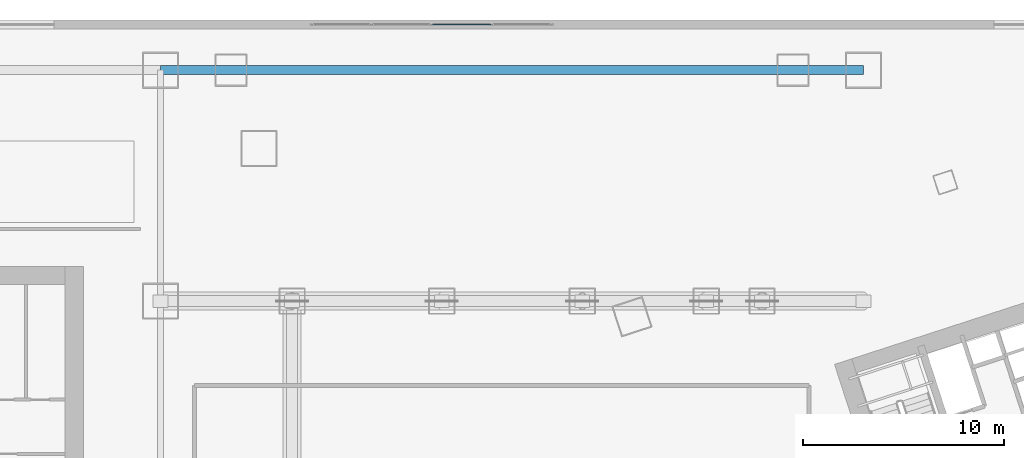
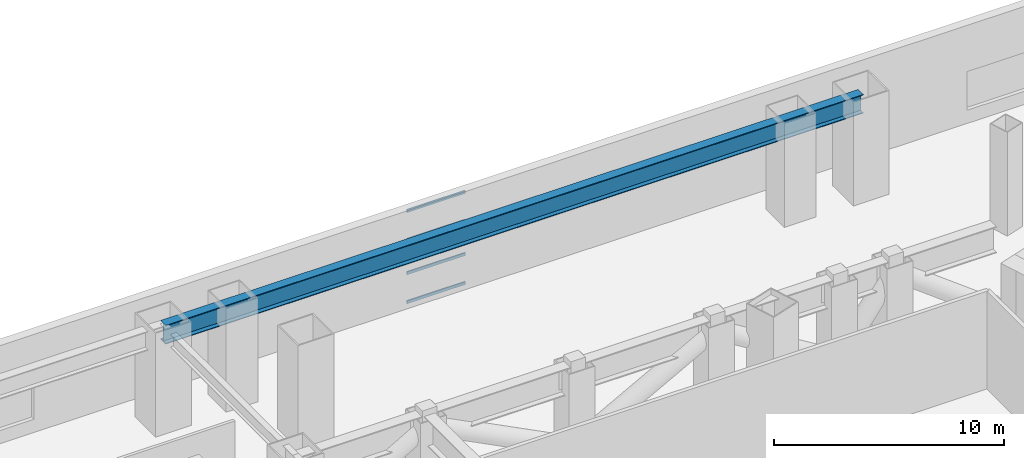
# One storey, part 19 of 34: 4 members, 1 beam, 1 element without a shape of its own.
"""IFC4 building model written with IfcOpenShell, lengths in metres."""

from ifc_helpers import new_model, si_unit, direction, frame, origin, origin_2d, place, context, subcontext, project, spatial, hollow_rectangle, i_section, extrude, material, layer, layer_set, material_profile, profile_set, type_object, element, aggregate, save


model = new_model("IFC4")

# Units and contexts
model_context = context("Model", 3, precision=1e-05, world=origin(), true_north=direction((0.0, 1.0)))
body_context = subcontext(model_context, "Body", "Model", "MODEL_VIEW")
ifc_project = project(units=[si_unit("LENGTHUNIT", "METRE"), si_unit("AREAUNIT", "SQUARE_METRE"), si_unit("VOLUMEUNIT", "CUBIC_METRE"), si_unit("PLANEANGLEUNIT", "RADIAN"), si_unit("MASSUNIT", "GRAM", prefix="KILO")], contexts=[model_context])

# Site, building, storey
site_placement = place(None, origin())
site = spatial("IfcSite", under=ifc_project, at=site_placement, CompositionType="ELEMENT")
building_placement = place(site_placement, origin())
building = spatial("IfcBuilding", under=site, at=building_placement, Name="Qiaolan Cultural Towers", CompositionType="ELEMENT")
storey_placement = place(building_placement, frame((0.0, 0.0, 16.5)))
storey = spatial("IfcBuildingStorey", under=building, at=storey_placement, Name="L03", CompositionType="ELEMENT", Elevation=16.5)

# Beam
ifc_material_1 = material(Name="Steel Q390GJB", Category="steel")
ifc_material_profile_1 = material_profile(ifc_material_1, i_section(OverallWidth=0.449951171875, OverallDepth=1.0, WebThickness=0.02392578125, FlangeThickness=0.0400390625, at=origin_2d()), Name="BH1000x450x24x40")
ifc_profile_set_1 = profile_set([ifc_material_profile_1], Name="Steel Q390GJB")
beam_type = type_object("IfcBeamType", Name="BM-BH1000x450x24x40", PredefinedType="BEAM", material=ifc_profile_set_1)
beam_placement = place(storey_placement, frame((42.5, 65.5, 4.699951171875), z_axis=(1.0, 0.0, 0.0), x_axis=(0.0, 1.0, 0.0)))
element("IfcBeam", 1, at=beam_placement, inside=storey, type_object=beam_type, Name="L03 Podium Primary Girder Y=65.5", PredefinedType="BEAM", context=body_context, shape_type="SweptSolid", body=[
    extrude(i_section(OverallWidth=0.449951171875, OverallDepth=1.0, WebThickness=0.02392578125, FlangeThickness=0.0400390625, at=origin_2d()), origin(), (0.0, 0.0, 1.0), 35.0),
])

# Curtain wall, members
ifc_material_2 = material(Name="Unitized Anodized Aluminium Curtain Wall System", Category="aluminium")
ifc_layer = layer(ifc_material_2, 0.199951171875)
ifc_layer_set = layer_set([ifc_layer], Name="Unitized Anodized Aluminium Curtain Wall System")
curtain_wall_type = type_object("IfcCurtainWallType", Name="CWS-01", PredefinedType="NOTDEFINED", material=ifc_layer_set)
curtain_wall_placement = place(storey_placement, origin())
curtain_wall = element("IfcCurtainWall", 2, at=curtain_wall_placement, inside=storey, type_object=curtain_wall_type, Name="L03 North Atrium Curtain Wall", PredefinedType="NOTDEFINED")
ifc_material_3 = material(Name="Extruded Aluminium 6063-T6", Category="aluminium")
ifc_material_profile_2 = material_profile(ifc_material_3, hollow_rectangle(XDim=0.06494140625, YDim=0.14990234375, WallThickness=0.00390625, at=origin_2d()), Name="CWT-150x65x4")
ifc_profile_set_2 = profile_set([ifc_material_profile_2], Name="Extruded Aluminium 6063-T6")
member_type = type_object("IfcMemberType", Name="CWS-01-TRN", PredefinedType="USERDEFINED", material=ifc_profile_set_2)
member_1_placement = place(storey_placement, frame((56.03759765625, 67.780029296875, 0.1826171875), z_axis=(1.0, 0.0, 0.0), x_axis=(0.0, 1.0, 0.0)))
member_1 = element("IfcMember", 3, at=member_1_placement, type_object=member_type, Name="CW-1 transom 3.1", ObjectType="TRANSOM", PredefinedType="USERDEFINED", context=body_context, shape_type="SweptSolid", body=[
    extrude(hollow_rectangle(XDim=0.06494140625, YDim=0.14990234375, WallThickness=0.00390625, at=origin_2d()), origin(), (0.0, 0.0, 1.0), 2.9248046875),
])
member_2_placement = place(storey_placement, frame((56.03759765625, 67.780029296875, 1.719970703125), z_axis=(1.0, 0.0, 0.0), x_axis=(0.0, 1.0, 0.0)))
member_2 = element("IfcMember", 4, at=member_2_placement, type_object=member_type, Name="CW-1 transom 3.2", ObjectType="TRANSOM", PredefinedType="USERDEFINED", context=body_context, shape_type="SweptSolid", body=[
    extrude(hollow_rectangle(XDim=0.06494140625, YDim=0.14990234375, WallThickness=0.00390625, at=origin_2d()), origin(), (0.0, 0.0, 1.0), 2.9248046875),
])
member_3_placement = place(storey_placement, frame((56.03759765625, 67.780029296875, 3.47998046875), z_axis=(1.0, 0.0, 0.0), x_axis=(0.0, 1.0, 0.0)))
member_3 = element("IfcMember", 5, at=member_3_placement, type_object=member_type, Name="CW-1 transom 3.3", ObjectType="TRANSOM", PredefinedType="USERDEFINED", context=body_context, shape_type="SweptSolid", body=[
    extrude(hollow_rectangle(XDim=0.06494140625, YDim=0.14990234375, WallThickness=0.00390625, at=origin_2d()), origin(), (0.0, 0.0, 1.0), 2.9248046875),
])
member_4_placement = place(storey_placement, frame((56.03759765625, 67.780029296875, 5.017578125), z_axis=(1.0, 0.0, 0.0), x_axis=(0.0, 1.0, 0.0)))
member_4 = element("IfcMember", 6, at=member_4_placement, type_object=member_type, Name="CW-1 transom 3.4", ObjectType="TRANSOM", PredefinedType="USERDEFINED", context=body_context, shape_type="SweptSolid", body=[
    extrude(hollow_rectangle(XDim=0.06494140625, YDim=0.14990234375, WallThickness=0.00390625, at=origin_2d()), origin(), (0.0, 0.0, 1.0), 2.9248046875),
])
aggregate(curtain_wall, [member_1, member_2, member_3, member_4])

save(model, "model.ifc")
